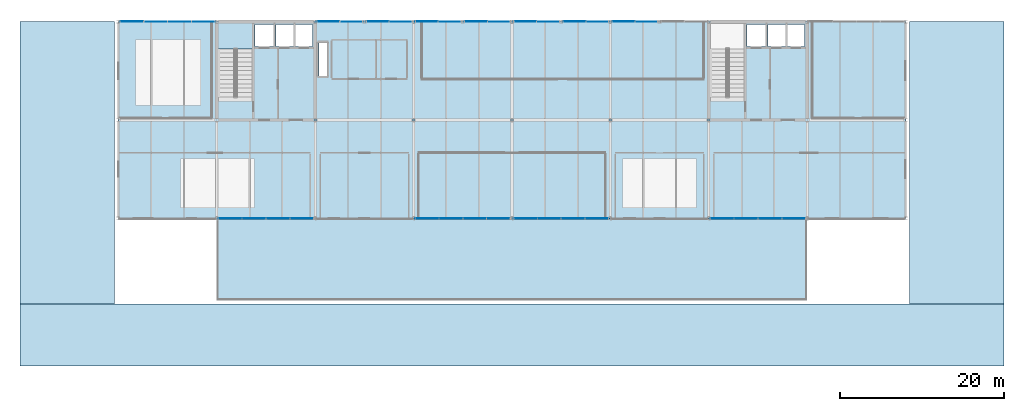
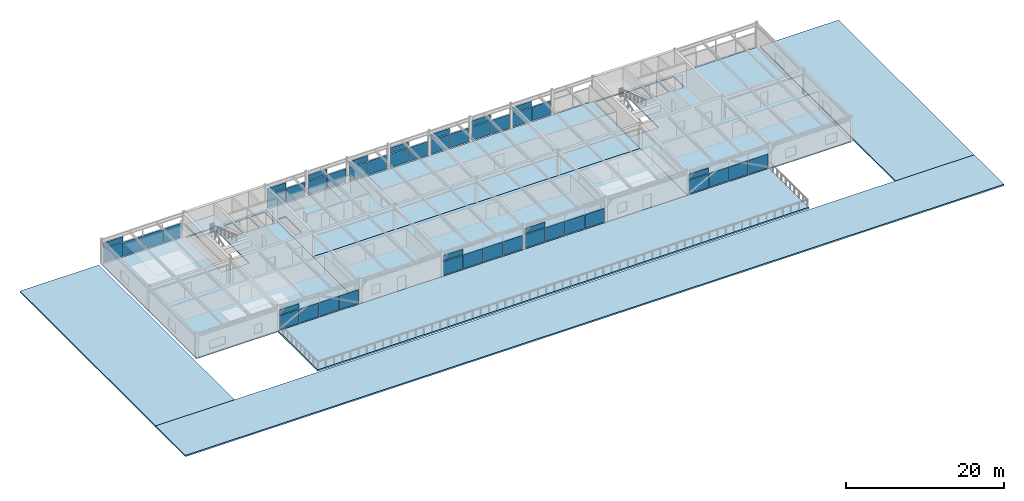
# One storey, part 21 of 30: 46 plates, 9 slabs, 13 elements without a shape of their own.
"""IFC4 building model written with IfcOpenShell, lengths in metres."""

from ifc_helpers import new_model, si_unit, direction, frame, origin, origin_2d, place, context, subcontext, project, spatial, polyline, rectangle, outline, extrude, material, layer, layer_set, type_object, element, aggregate, save


model = new_model("IFC4")

# Units and contexts
model_context = context("Model", 3, precision=1e-05, world=origin(), true_north=direction((0.0, 1.0)))
body_context = subcontext(model_context, "Body", "Model", "MODEL_VIEW")
ifc_project = project(units=[si_unit("LENGTHUNIT", "METRE"), si_unit("AREAUNIT", "SQUARE_METRE"), si_unit("VOLUMEUNIT", "CUBIC_METRE"), si_unit("PLANEANGLEUNIT", "RADIAN"), si_unit("MASSUNIT", "GRAM", prefix="KILO")], contexts=[model_context])

# Site, building, storey
site_placement = place(None, origin())
site = spatial("IfcSite", under=ifc_project, at=site_placement, CompositionType="ELEMENT")
building_placement = place(site_placement, origin())
building = spatial("IfcBuilding", under=site, at=building_placement, Name="Girod Span Mobility Hub", CompositionType="ELEMENT")
storey_placement = place(building_placement, frame((0.0, 0.0, 49.60009765625)))
storey = spatial("IfcBuildingStorey", under=building, at=storey_placement, Name="L12", CompositionType="ELEMENT", Elevation=49.60009765625)

# Curtain wall, plate
ifc_material_1 = material(Name="Thermally Broken Anodised Aluminium", Category="aluminium")
curtain_wall_type_1 = type_object("IfcCurtainWallType", Name="CW-562X330", PredefinedType="USERDEFINED", material=ifc_material_1)
curtain_wall_1_placement = place(storey_placement, origin())
curtain_wall_1 = element("IfcCurtainWall", 1, at=curtain_wall_1_placement, inside=storey, type_object=curtain_wall_type_1, Name="Unitised Curtain Wall CW-L12-N06W L12", ObjectType="UNITISED CURTAIN WALL", PredefinedType="USERDEFINED")
ifc_material_2 = material(Name="Double Low-E Insulated Glazing", Category="glass")
ifc_layer_1 = layer(ifc_material_2, 0.0380859375)
ifc_layer_set_1 = layer_set([ifc_layer_1], Name="Double Low-E Insulated Glazing")
plate_type_1 = type_object("IfcPlateType", Name="PLT-SPN-2741X844X38", PredefinedType="CURTAIN_PANEL", material=ifc_layer_set_1)
plate_1_placement = place(storey_placement, frame((61.588134765625, 69.0, 2.376708984375), z_axis=(0.0, 0.0, 1.0), x_axis=(1.0, 0.0, 0.0)))
plate_1 = element("IfcPlate", 2, at=plate_1_placement, type_object=plate_type_1, Name="Spandrel Glazing Panel CW-L12-N06W-S1", PredefinedType="CURTAIN_PANEL", context=body_context, shape_type="SweptSolid", body=[
    extrude(rectangle(XDim=2.747314453125, YDim=0.0380859375, at=origin_2d()), origin(), (0.0, 0.0, 1.0), 0.80419921875),
])

curtain_wall_2_placement = place(storey_placement, origin())
curtain_wall_2 = element("IfcCurtainWall", 3, at=curtain_wall_2_placement, inside=storey, type_object=curtain_wall_type_1, Name="Unitised Curtain Wall CW-L12-N06E L12", ObjectType="UNITISED CURTAIN WALL", PredefinedType="USERDEFINED")
plate_2_placement = place(storey_placement, frame((67.6005859375, 69.0, 2.376708984375), z_axis=(0.0, 0.0, 1.0), x_axis=(1.0, 0.0, 0.0)))
plate_2 = element("IfcPlate", 4, at=plate_2_placement, type_object=plate_type_1, Name="Spandrel Glazing Panel CW-L12-N06E-S1", PredefinedType="CURTAIN_PANEL", context=body_context, shape_type="SweptSolid", body=[
    extrude(rectangle(XDim=2.747314453125, YDim=0.0380859375, at=origin_2d()), origin(), (0.0, 0.0, 1.0), 0.80419921875),
])

curtain_wall_3_placement = place(storey_placement, origin())
curtain_wall_3 = element("IfcCurtainWall", 5, at=curtain_wall_3_placement, inside=storey, type_object=curtain_wall_type_1, Name="Unitised Curtain Wall CW-L12-N07W L12", ObjectType="UNITISED CURTAIN WALL", PredefinedType="USERDEFINED")
plate_3_placement = place(storey_placement, frame((73.588134765625, 69.0, 2.376708984375), z_axis=(0.0, 0.0, 1.0), x_axis=(1.0, 0.0, 0.0)))
plate_3 = element("IfcPlate", 6, at=plate_3_placement, type_object=plate_type_1, Name="Spandrel Glazing Panel CW-L12-N07W-S1", PredefinedType="CURTAIN_PANEL", context=body_context, shape_type="SweptSolid", body=[
    extrude(rectangle(XDim=2.747314453125, YDim=0.0380859375, at=origin_2d()), origin(), (0.0, 0.0, 1.0), 0.80419921875),
])

curtain_wall_4_placement = place(storey_placement, origin())
curtain_wall_4 = element("IfcCurtainWall", 7, at=curtain_wall_4_placement, inside=storey, type_object=curtain_wall_type_1, Name="Unitised Curtain Wall CW-L12-N07E L12", ObjectType="UNITISED CURTAIN WALL", PredefinedType="USERDEFINED")
plate_4_placement = place(storey_placement, frame((79.6005859375, 69.0, 2.376708984375), z_axis=(0.0, 0.0, 1.0), x_axis=(1.0, 0.0, 0.0)))
plate_4 = element("IfcPlate", 8, at=plate_4_placement, type_object=plate_type_1, Name="Spandrel Glazing Panel CW-L12-N07E-S1", PredefinedType="CURTAIN_PANEL", context=body_context, shape_type="SweptSolid", body=[
    extrude(rectangle(XDim=2.747314453125, YDim=0.0380859375, at=origin_2d()), origin(), (0.0, 0.0, 1.0), 0.80419921875),
])

curtain_wall_5_placement = place(storey_placement, origin())
curtain_wall_5 = element("IfcCurtainWall", 9, at=curtain_wall_5_placement, inside=storey, type_object=curtain_wall_type_1, Name="Unitised Curtain Wall CW-L12-N08W L12", ObjectType="UNITISED CURTAIN WALL", PredefinedType="USERDEFINED")
plate_5_placement = place(storey_placement, frame((85.588134765625, 69.0, 2.376708984375), z_axis=(0.0, 0.0, 1.0), x_axis=(1.0, 0.0, 0.0)))
plate_5 = element("IfcPlate", 10, at=plate_5_placement, type_object=plate_type_1, Name="Spandrel Glazing Panel CW-L12-N08W-S1", PredefinedType="CURTAIN_PANEL", context=body_context, shape_type="SweptSolid", body=[
    extrude(rectangle(XDim=2.747314453125, YDim=0.0380859375, at=origin_2d()), origin(), (0.0, 0.0, 1.0), 0.80419921875),
])

curtain_wall_6_placement = place(storey_placement, origin())
curtain_wall_6 = element("IfcCurtainWall", 11, at=curtain_wall_6_placement, inside=storey, type_object=curtain_wall_type_1, Name="Unitised Curtain Wall CW-L12-N08E L12", ObjectType="UNITISED CURTAIN WALL", PredefinedType="USERDEFINED")
plate_6_placement = place(storey_placement, frame((91.6005859375, 69.0, 2.376708984375), z_axis=(0.0, 0.0, 1.0), x_axis=(1.0, 0.0, 0.0)))
plate_6 = element("IfcPlate", 12, at=plate_6_placement, type_object=plate_type_1, Name="Spandrel Glazing Panel CW-L12-N08E-S1", PredefinedType="CURTAIN_PANEL", context=body_context, shape_type="SweptSolid", body=[
    extrude(rectangle(XDim=2.747314453125, YDim=0.0380859375, at=origin_2d()), origin(), (0.0, 0.0, 1.0), 0.80419921875),
])

curtain_wall_7_placement = place(storey_placement, origin())
curtain_wall_7 = element("IfcCurtainWall", 13, at=curtain_wall_7_placement, inside=storey, type_object=curtain_wall_type_1, Name="Unitised Curtain Wall CW-L12-N09W L12", ObjectType="UNITISED CURTAIN WALL", PredefinedType="USERDEFINED")
plate_7_placement = place(storey_placement, frame((97.588134765625, 69.0, 2.376708984375), z_axis=(0.0, 0.0, 1.0), x_axis=(1.0, 0.0, 0.0)))
plate_7 = element("IfcPlate", 14, at=plate_7_placement, type_object=plate_type_1, Name="Spandrel Glazing Panel CW-L12-N09W-S1", PredefinedType="CURTAIN_PANEL", context=body_context, shape_type="SweptSolid", body=[
    extrude(rectangle(XDim=2.747314453125, YDim=0.0380859375, at=origin_2d()), origin(), (0.0, 0.0, 1.0), 0.80419921875),
])

ifc_material_3 = material(Name="Thermally Broken Anodised Aluminium", Category="aluminium")
curtain_wall_type_2 = type_object("IfcCurtainWallType", Name="CW-1164X330", PredefinedType="USERDEFINED", material=ifc_material_3)
curtain_wall_8_placement = place(storey_placement, origin())
curtain_wall_8 = element("IfcCurtainWall", 15, at=curtain_wall_8_placement, inside=storey, type_object=curtain_wall_type_2, Name="Unitised Curtain Wall CW-L12-S05 L12", ObjectType="UNITISED CURTAIN WALL", PredefinedType="USERDEFINED")
ifc_material_4 = material(Name="Double Low-E Insulated Glazing", Category="glass")
ifc_layer_2 = layer(ifc_material_4, 0.0380859375)
ifc_layer_set_2 = layer_set([ifc_layer_2], Name="Double Low-E Insulated Glazing")
plate_type_2 = type_object("IfcPlateType", Name="PLT-SPN-2839X844X38", PredefinedType="CURTAIN_PANEL", material=ifc_layer_set_2)
plate_8_placement = place(storey_placement, frame((49.636962890625, 45.0, 2.376708984375), z_axis=(0.0, 0.0, 1.0), x_axis=(1.0, 0.0, 0.0)))
plate_8 = element("IfcPlate", 16, at=plate_8_placement, type_object=plate_type_2, Name="Spandrel Glazing Panel CW-L12-S05-S1", PredefinedType="CURTAIN_PANEL", context=body_context, shape_type="SweptSolid", body=[
    extrude(rectangle(XDim=2.8447265625, YDim=0.0380859375, at=origin_2d()), origin(), (0.0, 0.0, 1.0), 0.80419921875),
])

curtain_wall_9_placement = place(storey_placement, origin())
curtain_wall_9 = element("IfcCurtainWall", 17, at=curtain_wall_9_placement, inside=storey, type_object=curtain_wall_type_2, Name="Unitised Curtain Wall CW-L12-S07 L12", ObjectType="UNITISED CURTAIN WALL", PredefinedType="USERDEFINED")
plate_9_placement = place(storey_placement, frame((73.636962890625, 45.0, 2.376708984375), z_axis=(0.0, 0.0, 1.0), x_axis=(1.0, 0.0, 0.0)))
plate_9 = element("IfcPlate", 18, at=plate_9_placement, type_object=plate_type_2, Name="Spandrel Glazing Panel CW-L12-S07-S1", PredefinedType="CURTAIN_PANEL", context=body_context, shape_type="SweptSolid", body=[
    extrude(rectangle(XDim=2.8447265625, YDim=0.0380859375, at=origin_2d()), origin(), (0.0, 0.0, 1.0), 0.80419921875),
])

curtain_wall_10_placement = place(storey_placement, origin())
curtain_wall_10 = element("IfcCurtainWall", 19, at=curtain_wall_10_placement, inside=storey, type_object=curtain_wall_type_2, Name="Unitised Curtain Wall CW-L12-S08 L12", ObjectType="UNITISED CURTAIN WALL", PredefinedType="USERDEFINED")
plate_10_placement = place(storey_placement, frame((85.636962890625, 45.0, 2.376708984375), z_axis=(0.0, 0.0, 1.0), x_axis=(1.0, 0.0, 0.0)))
plate_10 = element("IfcPlate", 20, at=plate_10_placement, type_object=plate_type_2, Name="Spandrel Glazing Panel CW-L12-S08-S1", PredefinedType="CURTAIN_PANEL", context=body_context, shape_type="SweptSolid", body=[
    extrude(rectangle(XDim=2.8447265625, YDim=0.0380859375, at=origin_2d()), origin(), (0.0, 0.0, 1.0), 0.80419921875),
])

curtain_wall_11_placement = place(storey_placement, origin())
curtain_wall_11 = element("IfcCurtainWall", 21, at=curtain_wall_11_placement, inside=storey, type_object=curtain_wall_type_2, Name="Unitised Curtain Wall CW-L12-S10 L12", ObjectType="UNITISED CURTAIN WALL", PredefinedType="USERDEFINED")
plate_11_placement = place(storey_placement, frame((109.636962890625, 45.0, 2.376708984375), z_axis=(0.0, 0.0, 1.0), x_axis=(1.0, 0.0, 0.0)))
plate_11 = element("IfcPlate", 22, at=plate_11_placement, type_object=plate_type_2, Name="Spandrel Glazing Panel CW-L12-S10-S1", PredefinedType="CURTAIN_PANEL", context=body_context, shape_type="SweptSolid", body=[
    extrude(rectangle(XDim=2.8447265625, YDim=0.0380859375, at=origin_2d()), origin(), (0.0, 0.0, 1.0), 0.80419921875),
])

curtain_wall_12_placement = place(storey_placement, origin())
curtain_wall_12 = element("IfcCurtainWall", 23, at=curtain_wall_12_placement, inside=storey, type_object=curtain_wall_type_2, Name="Unitised Curtain Wall CW-L12-N04 L12", ObjectType="UNITISED CURTAIN WALL", PredefinedType="USERDEFINED")
plate_12_placement = place(storey_placement, frame((37.636962890625, 69.0, 2.376708984375), z_axis=(0.0, 0.0, 1.0), x_axis=(1.0, 0.0, 0.0)))
plate_12 = element("IfcPlate", 24, at=plate_12_placement, type_object=plate_type_2, Name="Spandrel Glazing Panel CW-L12-N04-S1", PredefinedType="CURTAIN_PANEL", context=body_context, shape_type="SweptSolid", body=[
    extrude(rectangle(XDim=2.8447265625, YDim=0.0380859375, at=origin_2d()), origin(), (0.0, 0.0, 1.0), 0.80419921875),
])

# Plate
ifc_material_5 = material(Name="Double Low-E Insulated Glazing", Category="glass")
ifc_layer_3 = layer(ifc_material_5, 0.02587890625)
ifc_layer_set_3 = layer_set([ifc_layer_3], Name="Double Low-E Insulated Glazing")
plate_type_3 = type_object("IfcPlateType", Name="PLT-VIS-2741X2377X26", PredefinedType="CURTAIN_PANEL", material=ifc_layer_set_3)
plate_13_placement = place(storey_placement, frame((61.588134765625, 69.0, 0.139892578125), z_axis=(0.0, 0.0, 1.0), x_axis=(1.0, 0.0, 0.0)))
plate_13 = element("IfcPlate", 25, at=plate_13_placement, type_object=plate_type_3, Name="Vision Glazing Panel CW-L12-N06W-V1", PredefinedType="CURTAIN_PANEL", context=body_context, shape_type="SweptSolid", body=[
    extrude(rectangle(XDim=2.747314453125, YDim=0.02587890625, at=origin_2d()), origin(), (0.0, 0.0, 1.0), 2.11669921875),
])

plate_14_placement = place(storey_placement, frame((64.3994140625, 69.0, 0.139892578125), z_axis=(0.0, 0.0, 1.0), x_axis=(1.0, 0.0, 0.0)))
plate_14 = element("IfcPlate", 26, at=plate_14_placement, type_object=plate_type_3, Name="Vision Glazing Panel CW-L12-N06W-V2", PredefinedType="CURTAIN_PANEL", context=body_context, shape_type="SweptSolid", body=[
    extrude(rectangle(XDim=2.747314453125, YDim=0.02587890625, at=origin_2d()), origin(), (0.0, 0.0, 1.0), 2.11669921875),
])

aggregate(curtain_wall_1, [plate_13, plate_1, plate_14])

plate_15_placement = place(storey_placement, frame((67.6005859375, 69.0, 0.139892578125), z_axis=(0.0, 0.0, 1.0), x_axis=(1.0, 0.0, 0.0)))
plate_15 = element("IfcPlate", 27, at=plate_15_placement, type_object=plate_type_3, Name="Vision Glazing Panel CW-L12-N06E-V1", PredefinedType="CURTAIN_PANEL", context=body_context, shape_type="SweptSolid", body=[
    extrude(rectangle(XDim=2.747314453125, YDim=0.02587890625, at=origin_2d()), origin(), (0.0, 0.0, 1.0), 2.11669921875),
])

plate_16_placement = place(storey_placement, frame((70.411865234375, 69.0, 0.139892578125), z_axis=(0.0, 0.0, 1.0), x_axis=(1.0, 0.0, 0.0)))
plate_16 = element("IfcPlate", 28, at=plate_16_placement, type_object=plate_type_3, Name="Vision Glazing Panel CW-L12-N06E-V2", PredefinedType="CURTAIN_PANEL", context=body_context, shape_type="SweptSolid", body=[
    extrude(rectangle(XDim=2.747314453125, YDim=0.02587890625, at=origin_2d()), origin(), (0.0, 0.0, 1.0), 2.11669921875),
])

aggregate(curtain_wall_2, [plate_15, plate_2, plate_16])

plate_17_placement = place(storey_placement, frame((73.588134765625, 69.0, 0.139892578125), z_axis=(0.0, 0.0, 1.0), x_axis=(1.0, 0.0, 0.0)))
plate_17 = element("IfcPlate", 29, at=plate_17_placement, type_object=plate_type_3, Name="Vision Glazing Panel CW-L12-N07W-V1", PredefinedType="CURTAIN_PANEL", context=body_context, shape_type="SweptSolid", body=[
    extrude(rectangle(XDim=2.747314453125, YDim=0.02587890625, at=origin_2d()), origin(), (0.0, 0.0, 1.0), 2.11669921875),
])

plate_18_placement = place(storey_placement, frame((76.3994140625, 69.0, 0.139892578125), z_axis=(0.0, 0.0, 1.0), x_axis=(1.0, 0.0, 0.0)))
plate_18 = element("IfcPlate", 30, at=plate_18_placement, type_object=plate_type_3, Name="Vision Glazing Panel CW-L12-N07W-V2", PredefinedType="CURTAIN_PANEL", context=body_context, shape_type="SweptSolid", body=[
    extrude(rectangle(XDim=2.747314453125, YDim=0.02587890625, at=origin_2d()), origin(), (0.0, 0.0, 1.0), 2.11669921875),
])

aggregate(curtain_wall_3, [plate_17, plate_3, plate_18])

plate_19_placement = place(storey_placement, frame((79.6005859375, 69.0, 0.139892578125), z_axis=(0.0, 0.0, 1.0), x_axis=(1.0, 0.0, 0.0)))
plate_19 = element("IfcPlate", 31, at=plate_19_placement, type_object=plate_type_3, Name="Vision Glazing Panel CW-L12-N07E-V1", PredefinedType="CURTAIN_PANEL", context=body_context, shape_type="SweptSolid", body=[
    extrude(rectangle(XDim=2.747314453125, YDim=0.02587890625, at=origin_2d()), origin(), (0.0, 0.0, 1.0), 2.11669921875),
])

plate_20_placement = place(storey_placement, frame((82.411865234375, 69.0, 0.139892578125), z_axis=(0.0, 0.0, 1.0), x_axis=(1.0, 0.0, 0.0)))
plate_20 = element("IfcPlate", 32, at=plate_20_placement, type_object=plate_type_3, Name="Vision Glazing Panel CW-L12-N07E-V2", PredefinedType="CURTAIN_PANEL", context=body_context, shape_type="SweptSolid", body=[
    extrude(rectangle(XDim=2.747314453125, YDim=0.02587890625, at=origin_2d()), origin(), (0.0, 0.0, 1.0), 2.11669921875),
])

aggregate(curtain_wall_4, [plate_19, plate_4, plate_20])

plate_21_placement = place(storey_placement, frame((85.588134765625, 69.0, 0.139892578125), z_axis=(0.0, 0.0, 1.0), x_axis=(1.0, 0.0, 0.0)))
plate_21 = element("IfcPlate", 33, at=plate_21_placement, type_object=plate_type_3, Name="Vision Glazing Panel CW-L12-N08W-V1", PredefinedType="CURTAIN_PANEL", context=body_context, shape_type="SweptSolid", body=[
    extrude(rectangle(XDim=2.747314453125, YDim=0.02587890625, at=origin_2d()), origin(), (0.0, 0.0, 1.0), 2.11669921875),
])

plate_22_placement = place(storey_placement, frame((88.3994140625, 69.0, 0.139892578125), z_axis=(0.0, 0.0, 1.0), x_axis=(1.0, 0.0, 0.0)))
plate_22 = element("IfcPlate", 34, at=plate_22_placement, type_object=plate_type_3, Name="Vision Glazing Panel CW-L12-N08W-V2", PredefinedType="CURTAIN_PANEL", context=body_context, shape_type="SweptSolid", body=[
    extrude(rectangle(XDim=2.747314453125, YDim=0.02587890625, at=origin_2d()), origin(), (0.0, 0.0, 1.0), 2.11669921875),
])

aggregate(curtain_wall_5, [plate_21, plate_5, plate_22])

plate_23_placement = place(storey_placement, frame((91.6005859375, 69.0, 0.139892578125), z_axis=(0.0, 0.0, 1.0), x_axis=(1.0, 0.0, 0.0)))
plate_23 = element("IfcPlate", 35, at=plate_23_placement, type_object=plate_type_3, Name="Vision Glazing Panel CW-L12-N08E-V1", PredefinedType="CURTAIN_PANEL", context=body_context, shape_type="SweptSolid", body=[
    extrude(rectangle(XDim=2.747314453125, YDim=0.02587890625, at=origin_2d()), origin(), (0.0, 0.0, 1.0), 2.11669921875),
])

plate_24_placement = place(storey_placement, frame((94.411865234375, 69.0, 0.139892578125), z_axis=(0.0, 0.0, 1.0), x_axis=(1.0, 0.0, 0.0)))
plate_24 = element("IfcPlate", 36, at=plate_24_placement, type_object=plate_type_3, Name="Vision Glazing Panel CW-L12-N08E-V2", PredefinedType="CURTAIN_PANEL", context=body_context, shape_type="SweptSolid", body=[
    extrude(rectangle(XDim=2.747314453125, YDim=0.02587890625, at=origin_2d()), origin(), (0.0, 0.0, 1.0), 2.11669921875),
])

aggregate(curtain_wall_6, [plate_23, plate_6, plate_24])

plate_25_placement = place(storey_placement, frame((97.588134765625, 69.0, 0.139892578125), z_axis=(0.0, 0.0, 1.0), x_axis=(1.0, 0.0, 0.0)))
plate_25 = element("IfcPlate", 37, at=plate_25_placement, type_object=plate_type_3, Name="Vision Glazing Panel CW-L12-N09W-V1", PredefinedType="CURTAIN_PANEL", context=body_context, shape_type="SweptSolid", body=[
    extrude(rectangle(XDim=2.747314453125, YDim=0.02587890625, at=origin_2d()), origin(), (0.0, 0.0, 1.0), 2.11669921875),
])

plate_26_placement = place(storey_placement, frame((100.3994140625, 69.0, 0.139892578125), z_axis=(0.0, 0.0, 1.0), x_axis=(1.0, 0.0, 0.0)))
plate_26 = element("IfcPlate", 38, at=plate_26_placement, type_object=plate_type_3, Name="Vision Glazing Panel CW-L12-N09W-V2", PredefinedType="CURTAIN_PANEL", context=body_context, shape_type="SweptSolid", body=[
    extrude(rectangle(XDim=2.747314453125, YDim=0.02587890625, at=origin_2d()), origin(), (0.0, 0.0, 1.0), 2.11669921875),
])

aggregate(curtain_wall_7, [plate_25, plate_7, plate_26])

ifc_material_6 = material(Name="Double Low-E Insulated Glazing", Category="glass")
ifc_layer_4 = layer(ifc_material_6, 0.02587890625)
ifc_layer_set_4 = layer_set([ifc_layer_4], Name="Double Low-E Insulated Glazing")
plate_type_4 = type_object("IfcPlateType", Name="PLT-VIS-2839X2377X26", PredefinedType="CURTAIN_PANEL", material=ifc_layer_set_4)
plate_27_placement = place(storey_placement, frame((49.636962890625, 45.0, 0.139892578125), z_axis=(0.0, 0.0, 1.0), x_axis=(1.0, 0.0, 0.0)))
plate_27 = element("IfcPlate", 39, at=plate_27_placement, type_object=plate_type_4, Name="Vision Glazing Panel CW-L12-S05-V1", PredefinedType="CURTAIN_PANEL", context=body_context, shape_type="SweptSolid", body=[
    extrude(rectangle(XDim=2.8447265625, YDim=0.02587890625, at=origin_2d()), origin(), (0.0, 0.0, 1.0), 2.11669921875),
])

plate_28_placement = place(storey_placement, frame((52.545654296875, 45.0, 0.139892578125), z_axis=(0.0, 0.0, 1.0), x_axis=(1.0, 0.0, 0.0)))
plate_28 = element("IfcPlate", 40, at=plate_28_placement, type_object=plate_type_4, Name="Vision Glazing Panel CW-L12-S05-V2", PredefinedType="CURTAIN_PANEL", context=body_context, shape_type="SweptSolid", body=[
    extrude(rectangle(XDim=2.8447265625, YDim=0.02587890625, at=origin_2d()), origin(), (0.0, 0.0, 1.0), 2.11669921875),
])

plate_29_placement = place(storey_placement, frame((55.454345703125, 45.0, 0.139892578125), z_axis=(0.0, 0.0, 1.0), x_axis=(1.0, 0.0, 0.0)))
plate_29 = element("IfcPlate", 41, at=plate_29_placement, type_object=plate_type_4, Name="Vision Glazing Panel CW-L12-S05-V3", PredefinedType="CURTAIN_PANEL", context=body_context, shape_type="SweptSolid", body=[
    extrude(rectangle(XDim=2.8447265625, YDim=0.02587890625, at=origin_2d()), origin(), (0.0, 0.0, 1.0), 2.11669921875),
])

plate_30_placement = place(storey_placement, frame((58.363037109375, 45.0, 0.139892578125), z_axis=(0.0, 0.0, 1.0), x_axis=(1.0, 0.0, 0.0)))
plate_30 = element("IfcPlate", 42, at=plate_30_placement, type_object=plate_type_4, Name="Vision Glazing Panel CW-L12-S05-V4", PredefinedType="CURTAIN_PANEL", context=body_context, shape_type="SweptSolid", body=[
    extrude(rectangle(XDim=2.8447265625, YDim=0.02587890625, at=origin_2d()), origin(), (0.0, 0.0, 1.0), 2.11669921875),
])

aggregate(curtain_wall_8, [plate_27, plate_8, plate_28, plate_29, plate_30])

plate_31_placement = place(storey_placement, frame((73.636962890625, 45.0, 0.139892578125), z_axis=(0.0, 0.0, 1.0), x_axis=(1.0, 0.0, 0.0)))
plate_31 = element("IfcPlate", 43, at=plate_31_placement, type_object=plate_type_4, Name="Vision Glazing Panel CW-L12-S07-V1", PredefinedType="CURTAIN_PANEL", context=body_context, shape_type="SweptSolid", body=[
    extrude(rectangle(XDim=2.8447265625, YDim=0.02587890625, at=origin_2d()), origin(), (0.0, 0.0, 1.0), 2.11669921875),
])

plate_32_placement = place(storey_placement, frame((76.545654296875, 45.0, 0.139892578125), z_axis=(0.0, 0.0, 1.0), x_axis=(1.0, 0.0, 0.0)))
plate_32 = element("IfcPlate", 44, at=plate_32_placement, type_object=plate_type_4, Name="Vision Glazing Panel CW-L12-S07-V2", PredefinedType="CURTAIN_PANEL", context=body_context, shape_type="SweptSolid", body=[
    extrude(rectangle(XDim=2.8447265625, YDim=0.02587890625, at=origin_2d()), origin(), (0.0, 0.0, 1.0), 2.11669921875),
])

plate_33_placement = place(storey_placement, frame((79.454345703125, 45.0, 0.139892578125), z_axis=(0.0, 0.0, 1.0), x_axis=(1.0, 0.0, 0.0)))
plate_33 = element("IfcPlate", 45, at=plate_33_placement, type_object=plate_type_4, Name="Vision Glazing Panel CW-L12-S07-V3", PredefinedType="CURTAIN_PANEL", context=body_context, shape_type="SweptSolid", body=[
    extrude(rectangle(XDim=2.8447265625, YDim=0.02587890625, at=origin_2d()), origin(), (0.0, 0.0, 1.0), 2.11669921875),
])

plate_34_placement = place(storey_placement, frame((82.363037109375, 45.0, 0.139892578125), z_axis=(0.0, 0.0, 1.0), x_axis=(1.0, 0.0, 0.0)))
plate_34 = element("IfcPlate", 46, at=plate_34_placement, type_object=plate_type_4, Name="Vision Glazing Panel CW-L12-S07-V4", PredefinedType="CURTAIN_PANEL", context=body_context, shape_type="SweptSolid", body=[
    extrude(rectangle(XDim=2.8447265625, YDim=0.02587890625, at=origin_2d()), origin(), (0.0, 0.0, 1.0), 2.11669921875),
])

aggregate(curtain_wall_9, [plate_31, plate_9, plate_32, plate_33, plate_34])

plate_35_placement = place(storey_placement, frame((85.636962890625, 45.0, 0.139892578125), z_axis=(0.0, 0.0, 1.0), x_axis=(1.0, 0.0, 0.0)))
plate_35 = element("IfcPlate", 47, at=plate_35_placement, type_object=plate_type_4, Name="Vision Glazing Panel CW-L12-S08-V1", PredefinedType="CURTAIN_PANEL", context=body_context, shape_type="SweptSolid", body=[
    extrude(rectangle(XDim=2.8447265625, YDim=0.02587890625, at=origin_2d()), origin(), (0.0, 0.0, 1.0), 2.11669921875),
])

plate_36_placement = place(storey_placement, frame((88.545654296875, 45.0, 0.139892578125), z_axis=(0.0, 0.0, 1.0), x_axis=(1.0, 0.0, 0.0)))
plate_36 = element("IfcPlate", 48, at=plate_36_placement, type_object=plate_type_4, Name="Vision Glazing Panel CW-L12-S08-V2", PredefinedType="CURTAIN_PANEL", context=body_context, shape_type="SweptSolid", body=[
    extrude(rectangle(XDim=2.8447265625, YDim=0.02587890625, at=origin_2d()), origin(), (0.0, 0.0, 1.0), 2.11669921875),
])

plate_37_placement = place(storey_placement, frame((91.454345703125, 45.0, 0.139892578125), z_axis=(0.0, 0.0, 1.0), x_axis=(1.0, 0.0, 0.0)))
plate_37 = element("IfcPlate", 49, at=plate_37_placement, type_object=plate_type_4, Name="Vision Glazing Panel CW-L12-S08-V3", PredefinedType="CURTAIN_PANEL", context=body_context, shape_type="SweptSolid", body=[
    extrude(rectangle(XDim=2.8447265625, YDim=0.02587890625, at=origin_2d()), origin(), (0.0, 0.0, 1.0), 2.11669921875),
])

plate_38_placement = place(storey_placement, frame((94.363037109375, 45.0, 0.139892578125), z_axis=(0.0, 0.0, 1.0), x_axis=(1.0, 0.0, 0.0)))
plate_38 = element("IfcPlate", 50, at=plate_38_placement, type_object=plate_type_4, Name="Vision Glazing Panel CW-L12-S08-V4", PredefinedType="CURTAIN_PANEL", context=body_context, shape_type="SweptSolid", body=[
    extrude(rectangle(XDim=2.8447265625, YDim=0.02587890625, at=origin_2d()), origin(), (0.0, 0.0, 1.0), 2.11669921875),
])

aggregate(curtain_wall_10, [plate_35, plate_10, plate_36, plate_37, plate_38])

plate_39_placement = place(storey_placement, frame((109.636962890625, 45.0, 0.139892578125), z_axis=(0.0, 0.0, 1.0), x_axis=(1.0, 0.0, 0.0)))
plate_39 = element("IfcPlate", 51, at=plate_39_placement, type_object=plate_type_4, Name="Vision Glazing Panel CW-L12-S10-V1", PredefinedType="CURTAIN_PANEL", context=body_context, shape_type="SweptSolid", body=[
    extrude(rectangle(XDim=2.8447265625, YDim=0.02587890625, at=origin_2d()), origin(), (0.0, 0.0, 1.0), 2.11669921875),
])

plate_40_placement = place(storey_placement, frame((112.545654296875, 45.0, 0.139892578125), z_axis=(0.0, 0.0, 1.0), x_axis=(1.0, 0.0, 0.0)))
plate_40 = element("IfcPlate", 52, at=plate_40_placement, type_object=plate_type_4, Name="Vision Glazing Panel CW-L12-S10-V2", PredefinedType="CURTAIN_PANEL", context=body_context, shape_type="SweptSolid", body=[
    extrude(rectangle(XDim=2.8447265625, YDim=0.02587890625, at=origin_2d()), origin(), (0.0, 0.0, 1.0), 2.11669921875),
])

plate_41_placement = place(storey_placement, frame((115.454345703125, 45.0, 0.139892578125), z_axis=(0.0, 0.0, 1.0), x_axis=(1.0, 0.0, 0.0)))
plate_41 = element("IfcPlate", 53, at=plate_41_placement, type_object=plate_type_4, Name="Vision Glazing Panel CW-L12-S10-V3", PredefinedType="CURTAIN_PANEL", context=body_context, shape_type="SweptSolid", body=[
    extrude(rectangle(XDim=2.8447265625, YDim=0.02587890625, at=origin_2d()), origin(), (0.0, 0.0, 1.0), 2.11669921875),
])

plate_42_placement = place(storey_placement, frame((118.363037109375, 45.0, 0.139892578125), z_axis=(0.0, 0.0, 1.0), x_axis=(1.0, 0.0, 0.0)))
plate_42 = element("IfcPlate", 54, at=plate_42_placement, type_object=plate_type_4, Name="Vision Glazing Panel CW-L12-S10-V4", PredefinedType="CURTAIN_PANEL", context=body_context, shape_type="SweptSolid", body=[
    extrude(rectangle(XDim=2.8447265625, YDim=0.02587890625, at=origin_2d()), origin(), (0.0, 0.0, 1.0), 2.11669921875),
])

aggregate(curtain_wall_11, [plate_39, plate_11, plate_40, plate_41, plate_42])

plate_43_placement = place(storey_placement, frame((37.636962890625, 69.0, 0.139892578125), z_axis=(0.0, 0.0, 1.0), x_axis=(1.0, 0.0, 0.0)))
plate_43 = element("IfcPlate", 55, at=plate_43_placement, type_object=plate_type_4, Name="Vision Glazing Panel CW-L12-N04-V1", PredefinedType="CURTAIN_PANEL", context=body_context, shape_type="SweptSolid", body=[
    extrude(rectangle(XDim=2.8447265625, YDim=0.02587890625, at=origin_2d()), origin(), (0.0, 0.0, 1.0), 2.11669921875),
])

plate_44_placement = place(storey_placement, frame((40.545654296875, 69.0, 0.139892578125), z_axis=(0.0, 0.0, 1.0), x_axis=(1.0, 0.0, 0.0)))
plate_44 = element("IfcPlate", 56, at=plate_44_placement, type_object=plate_type_4, Name="Vision Glazing Panel CW-L12-N04-V2", PredefinedType="CURTAIN_PANEL", context=body_context, shape_type="SweptSolid", body=[
    extrude(rectangle(XDim=2.8447265625, YDim=0.02587890625, at=origin_2d()), origin(), (0.0, 0.0, 1.0), 2.11669921875),
])

plate_45_placement = place(storey_placement, frame((43.454345703125, 69.0, 0.139892578125), z_axis=(0.0, 0.0, 1.0), x_axis=(1.0, 0.0, 0.0)))
plate_45 = element("IfcPlate", 57, at=plate_45_placement, type_object=plate_type_4, Name="Vision Glazing Panel CW-L12-N04-V3", PredefinedType="CURTAIN_PANEL", context=body_context, shape_type="SweptSolid", body=[
    extrude(rectangle(XDim=2.8447265625, YDim=0.02587890625, at=origin_2d()), origin(), (0.0, 0.0, 1.0), 2.11669921875),
])

plate_46_placement = place(storey_placement, frame((46.363037109375, 69.0, 0.139892578125), z_axis=(0.0, 0.0, 1.0), x_axis=(1.0, 0.0, 0.0)))
plate_46 = element("IfcPlate", 58, at=plate_46_placement, type_object=plate_type_4, Name="Vision Glazing Panel CW-L12-N04-V4", PredefinedType="CURTAIN_PANEL", context=body_context, shape_type="SweptSolid", body=[
    extrude(rectangle(XDim=2.8447265625, YDim=0.02587890625, at=origin_2d()), origin(), (0.0, 0.0, 1.0), 2.11669921875),
])

aggregate(curtain_wall_12, [plate_43, plate_12, plate_44, plate_45, plate_46])

# Slabs
ifc_material_7 = material(Name="Concrete C40/50", Category="concrete")
ifc_layer_5 = layer(ifc_material_7, 0.239990234375)
ifc_layer_set_5 = layer_set([ifc_layer_5], Name="Concrete C40/50")
slab_type_1 = type_object("IfcSlabType", Name="SL-EXT-240", PredefinedType="FLOOR", material=ifc_layer_set_5)
slab_1_placement = place(storey_placement, frame((0.0, 0.0, -0.239990234375)))
element("IfcSlab", 59, at=slab_1_placement, inside=storey, type_object=slab_type_1, Name="South Boulevard Sky Terrace", PredefinedType="FLOOR", context=body_context, shape_type="SweptSolid", body=[
    extrude(outline(polyline([(120.0, 35.0), (120.0, 45.0), (48.0, 45.0), (48.0, 35.0), (120.0, 35.0)])), origin(), (0.0, 0.0, 1.0), 0.239990234375),
])
ifc_material_8 = material(Name="Concrete C40/50", Category="concrete")
ifc_layer_6 = layer(ifc_material_8, 0.159912109375)
ifc_layer_set_6 = layer_set([ifc_layer_6], Name="Concrete C40/50")
slab_type_2 = type_object("IfcSlabType", Name="SL-FLR-160", PredefinedType="FLOOR", material=ifc_layer_set_6)
slab_2_placement = place(storey_placement, frame((0.0, 0.0, -0.16015625)))
element("IfcSlab", 60, at=slab_2_placement, inside=storey, type_object=slab_type_2, Name="Floor Slab L12 Sector W", PredefinedType="FLOOR", context=body_context, shape_type="SweptSolid", body=[
    extrude(outline(polyline([(36.0, 69.0), (60.0, 69.0), (60.0, 45.0), (36.0, 45.0), (36.0, 69.0)]), holes=[polyline([(48.219970703125, 59.8349609375), (52.340087890625, 59.8349609375), (52.340087890625, 68.820068359375), (48.219970703125, 68.820068359375), (48.219970703125, 59.8349609375)]), polyline([(52.64990234375, 65.949951171875), (54.949951171875, 65.949951171875), (54.949951171875, 68.64990234375), (52.64990234375, 68.64990234375), (52.64990234375, 65.949951171875)]), polyline([(55.199951171875, 65.949951171875), (57.35009765625, 65.949951171875), (57.35009765625, 68.64990234375), (55.199951171875, 68.64990234375), (55.199951171875, 65.949951171875)]), polyline([(57.60009765625, 65.949951171875), (59.64990234375, 65.949951171875), (59.64990234375, 68.64990234375), (57.60009765625, 68.64990234375), (57.60009765625, 65.949951171875)])]), origin(), (0.0, 0.0, 1.0), 0.16015625),
])
slab_3_placement = place(storey_placement, frame((0.0, 0.0, -0.16015625)))
element("IfcSlab", 61, at=slab_3_placement, inside=storey, type_object=slab_type_2, Name="Floor Slab L12 Sector CS", PredefinedType="FLOOR", context=body_context, shape_type="SweptSolid", body=[
    extrude(outline(polyline([(60.0, 45.0), (60.0, 57.0), (108.0, 57.0), (108.0, 45.0), (60.0, 45.0)])), origin(), (0.0, 0.0, 1.0), 0.16015625),
])
slab_4_placement = place(storey_placement, frame((0.0, 0.0, -0.16015625)))
element("IfcSlab", 62, at=slab_4_placement, inside=storey, type_object=slab_type_2, Name="Floor Slab L12 Sector CN", PredefinedType="FLOOR", context=body_context, shape_type="SweptSolid", body=[
    extrude(outline(polyline([(108.0, 69.0), (108.0, 57.0), (60.0, 57.0), (60.0, 69.0), (108.0, 69.0)]), holes=[polyline([(60.449951171875, 62.35009765625), (61.47998046875, 62.35009765625), (61.47998046875, 66.449951171875), (60.449951171875, 66.449951171875), (60.449951171875, 62.35009765625)])]), origin(), (0.0, 0.0, 1.0), 0.16015625),
])
slab_5_placement = place(storey_placement, frame((0.0, 0.0, -0.16015625)))
element("IfcSlab", 63, at=slab_5_placement, inside=storey, type_object=slab_type_2, Name="Floor Slab L12 Sector E", PredefinedType="FLOOR", context=body_context, shape_type="SweptSolid", body=[
    extrude(outline(polyline([(132.0, 69.0), (132.0, 45.0), (108.0, 45.0), (108.0, 69.0), (132.0, 69.0)]), holes=[polyline([(108.219970703125, 59.8349609375), (112.340087890625, 59.8349609375), (112.340087890625, 68.820068359375), (108.219970703125, 68.820068359375), (108.219970703125, 59.8349609375)]), polyline([(112.64990234375, 65.949951171875), (114.949951171875, 65.949951171875), (114.949951171875, 68.64990234375), (112.64990234375, 68.64990234375), (112.64990234375, 65.949951171875)]), polyline([(115.199951171875, 68.64990234375), (115.199951171875, 65.949951171875), (117.35009765625, 65.949951171875), (117.35009765625, 68.64990234375), (115.199951171875, 68.64990234375)]), polyline([(117.60009765625, 68.64990234375), (117.60009765625, 65.949951171875), (119.64990234375, 65.949951171875), (119.64990234375, 68.64990234375), (117.60009765625, 68.64990234375)])]), origin(), (0.0, 0.0, 1.0), 0.16015625),
])

# Stair, slab
ifc_material_9 = material(Name="Concrete C40/50", Category="concrete")
stair_type = type_object("IfcStairType", Name="STR-4000-W1860", PredefinedType="HALF_TURN_STAIR", material=ifc_material_9)
stair_placement = place(storey_placement, origin())
stair = element("IfcStair", 64, at=stair_placement, inside=storey, type_object=stair_type, Name="Exit Stair ST-1 L12", PredefinedType="HALF_TURN_STAIR")
ifc_material_10 = material(Name="Concrete C40/50", Category="concrete")
ifc_layer_7 = layer(ifc_material_10, 0.35498046875)
ifc_layer_set_7 = layer_set([ifc_layer_7], Name="Concrete C40/50")
slab_type_3 = type_object("IfcSlabType", Name="SL-LND-355", PredefinedType="LANDING", material=ifc_layer_set_7)
slab_6_placement = place(storey_placement, frame((0.0, 0.0, 1.64501953125)))
slab_6 = element("IfcSlab", 65, at=slab_6_placement, type_object=slab_type_3, Name="Stair ST-1 Half-Landing L12", PredefinedType="LANDING", context=body_context, shape_type="SweptSolid", body=[
    extrude(outline(polyline([(52.3349609375, 65.68603515625), (52.3349609375, 68.8349609375), (48.1650390625, 68.8349609375), (48.1650390625, 65.68603515625), (52.3349609375, 65.68603515625)])), origin(), (0.0, 0.0, 1.0), 0.35498046875),
])
aggregate(stair, [slab_6])

# Slabs
ifc_material_11 = material(Name="Concrete C40/50", Category="concrete")
ifc_layer_8 = layer(ifc_material_11, 0.219970703125)
ifc_layer_set_8 = layer_set([ifc_layer_8], Name="Concrete C40/50")
slab_type_4 = type_object("IfcSlabType", Name="SL-ROOF-220", PredefinedType="ROOF", material=ifc_layer_set_8)
slab_7_placement = place(storey_placement, frame((0.0, 0.0, -0.22021484375)))
element("IfcSlab", 66, at=slab_7_placement, inside=storey, type_object=slab_type_4, Name="Insulated Setback Roof Slab above L11 S", PredefinedType="ROOF", context=body_context, shape_type="SweptSolid", body=[
    extrude(outline(polyline([(144.0, 27.0), (24.0, 27.0), (24.0, 34.550048828125), (47.550048828125, 34.550048828125), (120.449951171875, 34.550048828125), (144.0, 34.550048828125), (144.0, 27.0)])), origin(), (0.0, 0.0, 1.0), 0.22021484375),
])
slab_8_placement = place(storey_placement, frame((0.0, 0.0, -0.22021484375)))
element("IfcSlab", 67, at=slab_8_placement, inside=storey, type_object=slab_type_4, Name="Insulated Setback Roof Slab above L11 W", PredefinedType="ROOF", context=body_context, shape_type="SweptSolid", body=[
    extrude(outline(polyline([(24.0, 69.0), (35.550048828125, 69.0), (35.550048828125, 44.550048828125), (35.550048828125, 34.550048828125), (24.0, 34.550048828125), (24.0, 69.0)])), origin(), (0.0, 0.0, 1.0), 0.22021484375),
])
slab_9_placement = place(storey_placement, frame((0.0, 0.0, -0.22021484375)))
element("IfcSlab", 68, at=slab_9_placement, inside=storey, type_object=slab_type_4, Name="Insulated Setback Roof Slab above L11 E", PredefinedType="ROOF", context=body_context, shape_type="SweptSolid", body=[
    extrude(outline(polyline([(144.0, 34.550048828125), (132.449951171875, 34.550048828125), (132.449951171875, 44.550048828125), (132.449951171875, 69.0), (144.0, 69.0), (144.0, 34.550048828125)])), origin(), (0.0, 0.0, 1.0), 0.22021484375),
])

save(model, "model.ifc")
